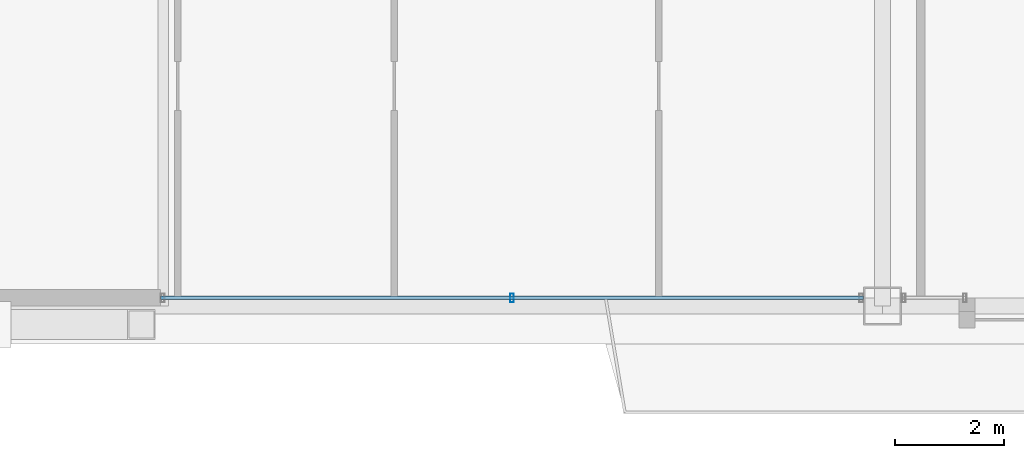
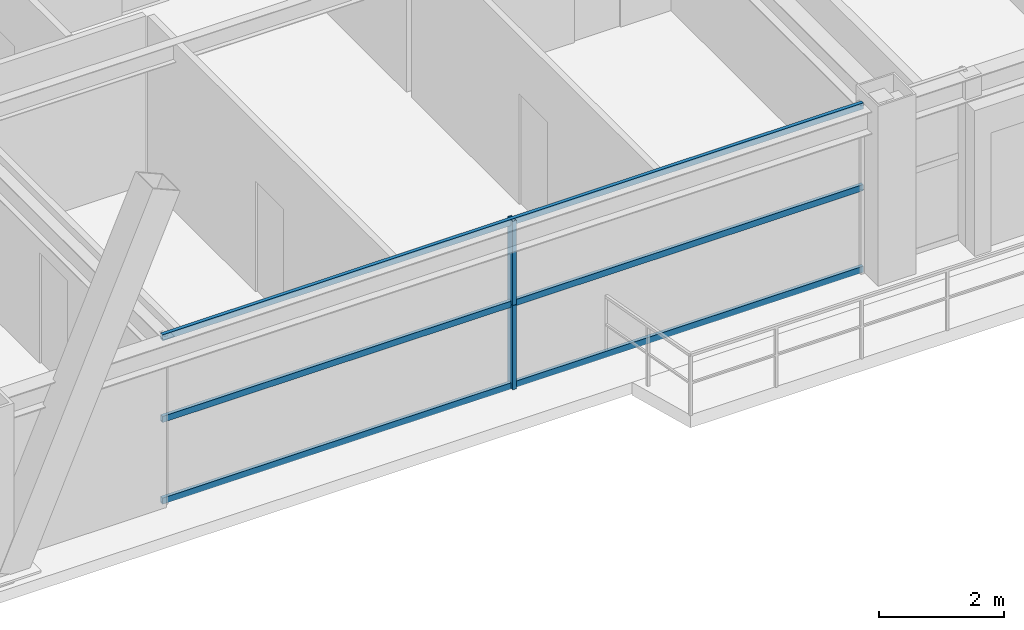
# One storey, part 5 of 35: 5 members, 1 element without a shape of its own.
"""IFC4 building model written with IfcOpenShell, lengths in metres."""

from ifc_helpers import new_model, si_unit, direction, frame, origin, origin_2d, place, context, subcontext, project, spatial, hollow_rectangle, extrude, source, transform, mapped, material, layer, layer_set, material_profile, profile_set, type_object, element, aggregate, save


model = new_model("IFC4")

# Units and contexts
model_context = context("Model", 3, precision=1e-05, world=origin(), true_north=direction((0.0, 1.0)))
body_context = subcontext(model_context, "Body", "Model", "MODEL_VIEW")
ifc_project = project(units=[si_unit("LENGTHUNIT", "METRE"), si_unit("AREAUNIT", "SQUARE_METRE"), si_unit("VOLUMEUNIT", "CUBIC_METRE"), si_unit("PLANEANGLEUNIT", "RADIAN"), si_unit("MASSUNIT", "GRAM", prefix="KILO"), si_unit("THERMODYNAMICTEMPERATUREUNIT", "KELVIN"), si_unit("POWERUNIT", "WATT")], contexts=[model_context])

# Site, building, storey
site_placement = place(None, origin())
site = spatial("IfcSite", under=ifc_project, at=site_placement, CompositionType="ELEMENT")
building_placement = place(site_placement, origin())
building = spatial("IfcBuilding", under=site, at=building_placement, Name="Yuzanri Waterfront Tower", CompositionType="ELEMENT")
storey_placement = place(building_placement, frame((0.0, 0.0, 227.60009765625)))
storey = spatial("IfcBuildingStorey", under=building, at=storey_placement, Name="L60", CompositionType="ELEMENT", Elevation=227.60009765625)

# Curtain wall, members
ifc_material_1 = material(Name="Anodized Architectural Bronze", Category="metal")
ifc_layer = layer(ifc_material_1, 0.159912109375)
ifc_layer_set = layer_set([ifc_layer], Name="Anodized Architectural Bronze")
curtain_wall_type = type_object("IfcCurtainWallType", Name="Anodized Bronze Mid-Rise Residential Acoustic Unitized Curtain Wall 7200", PredefinedType="NOTDEFINED", material=ifc_layer_set)
curtain_wall_placement = place(storey_placement, origin())
curtain_wall = element("IfcCurtainWall", 1, at=curtain_wall_placement, inside=storey, type_object=curtain_wall_type, Name="L60 Curtain Wall CW-L60-SL", PredefinedType="NOTDEFINED")
ifc_material_2 = material(Name="Anodized Architectural Bronze", Category="metal")
ifc_material_profile_1 = material_profile(ifc_material_2, hollow_rectangle(XDim=0.06494140625, YDim=0.159912109375, WallThickness=0.00341796875, at=origin_2d()), Name="CWM 65x160")
ifc_profile_set_1 = profile_set([ifc_material_profile_1], Name="Anodized Architectural Bronze")
member_type_1 = type_object("IfcMemberType", Name="Anodized Bronze Upper-Zone Curtain-Wall Mullion 65x160", PredefinedType="MULLION", material=ifc_profile_set_1)
shared_shape_1 = source(origin(), body_context, "Body", "SweptSolid", [
    extrude(hollow_rectangle(XDim=0.06494140625, YDim=0.159912109375, WallThickness=0.00341796875, at=origin_2d()), origin(), (0.0, 0.0, 1.0), 1.637939453125),
])
member_1_placement = place(storey_placement, frame((30.199951171875, 5.35009765625, 0.0), z_axis=(0.0, 0.0, 1.0), x_axis=(1.0, 0.0, 0.0)))
member_1 = element("IfcMember", 2, at=member_1_placement, type_object=member_type_1, Name="CW-L60-SL Lower Mullion 01", PredefinedType="MULLION", context=body_context, shape_type="MappedRepresentation", body=[
    mapped(shared_shape_1, transform((0.0, 0.0, 0.0), scale=1.0)),
])
member_2_placement = place(storey_placement, frame((30.199951171875, 5.35009765625, 1.641845703125), z_axis=(0.0, 0.0, 1.0), x_axis=(1.0, 0.0, 0.0)))
member_2 = element("IfcMember", 3, at=member_2_placement, type_object=member_type_1, Name="CW-L60-SL Upper Mullion 01", PredefinedType="MULLION", context=body_context, shape_type="MappedRepresentation", body=[
    mapped(shared_shape_1, transform((0.0, 0.0, 0.0), scale=1.0)),
])
ifc_material_3 = material(Name="Anodized Architectural Bronze", Category="metal")
ifc_material_profile_2 = material_profile(ifc_material_3, hollow_rectangle(XDim=0.06494140625, YDim=0.1201171875, WallThickness=0.00341796875, at=origin_2d()), Name="CWT 65x120")
ifc_profile_set_2 = profile_set([ifc_material_profile_2], Name="Anodized Architectural Bronze")
member_type_2 = type_object("IfcMemberType", Name="Anodized Bronze Secondary Curtain-Wall Transom 65x120", PredefinedType="USERDEFINED", material=ifc_profile_set_2)
shared_shape_2 = source(origin(), body_context, "Body", "SweptSolid", [
    extrude(hollow_rectangle(XDim=0.06494140625, YDim=0.1201171875, WallThickness=0.00341796875, at=origin_2d()), origin(), (0.0, 0.0, 1.0), 12.89990234375),
])
member_3_placement = place(storey_placement, frame((23.75, 5.35009765625, 0.0498046875), z_axis=(1.0, 0.0, 0.0), x_axis=(0.0, 1.0, 0.0)))
member_3 = element("IfcMember", 4, at=member_3_placement, type_object=member_type_2, Name="CW-L60-SL Transom 1", ObjectType="TRANSOM", PredefinedType="USERDEFINED", context=body_context, shape_type="MappedRepresentation", body=[
    mapped(shared_shape_2, transform((0.0, 0.0, 0.0), scale=1.0)),
])
member_4_placement = place(storey_placement, frame((23.75, 5.35009765625, 1.639892578125), z_axis=(1.0, 0.0, 0.0), x_axis=(0.0, 1.0, 0.0)))
member_4 = element("IfcMember", 5, at=member_4_placement, type_object=member_type_2, Name="CW-L60-SL Transom 2", ObjectType="TRANSOM", PredefinedType="USERDEFINED", context=body_context, shape_type="MappedRepresentation", body=[
    mapped(shared_shape_2, transform((0.0, 0.0, 0.0), scale=1.0)),
])
member_5_placement = place(storey_placement, frame((23.75, 5.35009765625, 3.22998046875), z_axis=(1.0, 0.0, 0.0), x_axis=(0.0, 1.0, 0.0)))
member_5 = element("IfcMember", 6, at=member_5_placement, type_object=member_type_2, Name="CW-L60-SL Transom 3", ObjectType="TRANSOM", PredefinedType="USERDEFINED", context=body_context, shape_type="MappedRepresentation", body=[
    mapped(shared_shape_2, transform((0.0, 0.0, 0.0), scale=1.0)),
])
aggregate(curtain_wall, [member_1, member_2, member_3, member_4, member_5])

save(model, "model.ifc")
